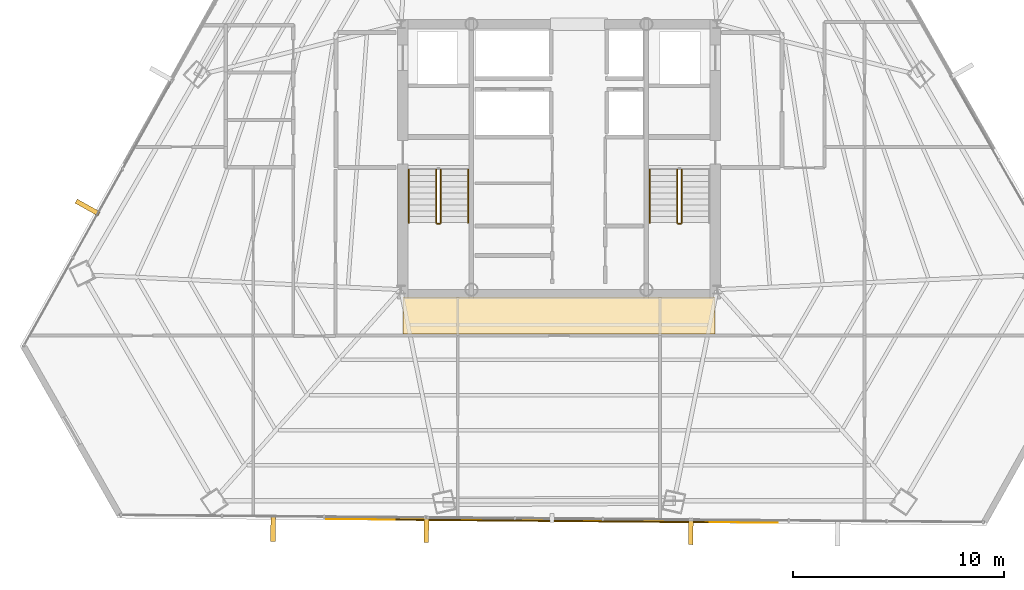
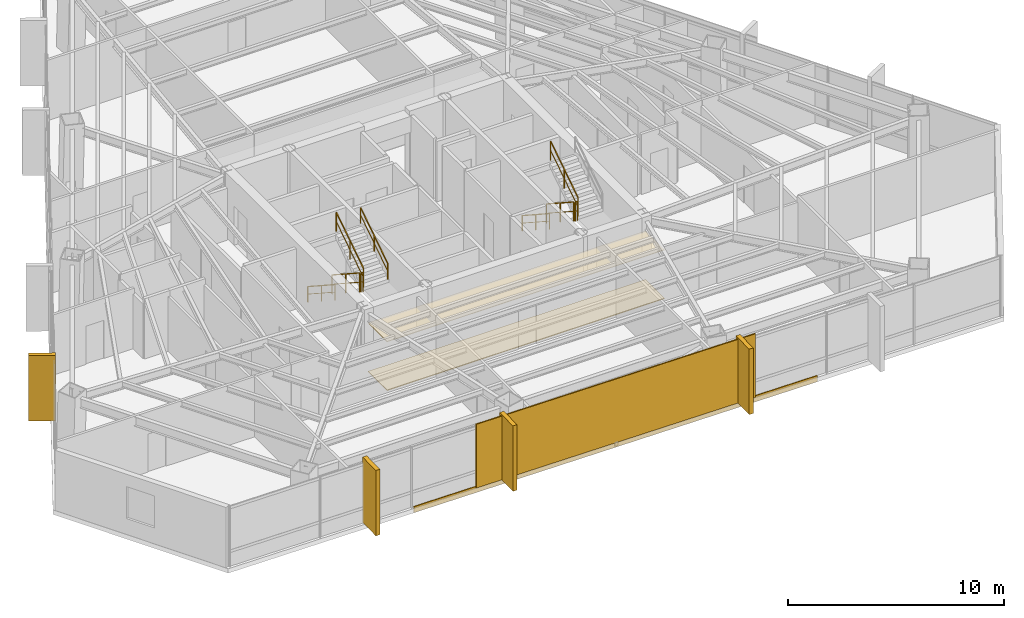
# One storey, part 36 of 38: 9 railings, 7 coverings, 1 shading device.
"""IFC4 building model written with IfcOpenShell, lengths in metres."""

from ifc_helpers import new_model, si_unit, direction, frame, origin, origin_2d, place, context, subcontext, project, spatial, polyline, rectangle, outline, extrude, source, transform, mapped, material, layer, layer_set, type_object, type_shapes, element, save


model = new_model("IFC4")

# Units and contexts
model_context = context("Model", 3, precision=1e-05, world=origin(), true_north=direction((0.0, 1.0)))
body_context = subcontext(model_context, "Body", "Model", "MODEL_VIEW")
ifc_project = project(units=[si_unit("LENGTHUNIT", "METRE"), si_unit("AREAUNIT", "SQUARE_METRE"), si_unit("VOLUMEUNIT", "CUBIC_METRE"), si_unit("PLANEANGLEUNIT", "RADIAN"), si_unit("MASSUNIT", "GRAM", prefix="KILO")], contexts=[model_context])

# Site, building, storey
site_placement = place(None, origin())
site = spatial("IfcSite", under=ifc_project, at=site_placement, CompositionType="ELEMENT")
building_placement = place(site_placement, origin())
building = spatial("IfcBuilding", under=site, at=building_placement, Name="Caelisora Broadcast Tower", CompositionType="ELEMENT")
storey_placement = place(building_placement, frame((0.0, 0.0, 154.85009765625)))
storey = spatial("IfcBuildingStorey", under=building, at=storey_placement, Name="L40", CompositionType="ELEMENT", Elevation=154.85009765625)

# Coverings
ifc_material_1 = material(Name="Perforated Mineral-Fibre Acoustic Ceiling Tile", Category="gypsum")
ifc_layer_1 = layer(ifc_material_1, 0.034912109375, Name="Perforated Mineral-Fibre Acoustic Ceiling Tile")
ifc_layer_set_1 = layer_set([ifc_layer_1], Name="Perforated Mineral-Fibre Acoustic Ceiling Tile")
covering_type_1 = type_object("IfcCoveringType", Name="CE-1", PredefinedType="CEILING", material=ifc_layer_set_1)
covering_1_placement = place(storey_placement, frame((0.0, 0.0, 2.75)))
element("IfcCovering", 1, at=covering_1_placement, inside=storey, type_object=covering_type_1, Name="L40 acoustic corridor ceiling CE-1 (S)", PredefinedType="CEILING", context=body_context, shape_type="SweptSolid", body=[
    extrude(outline(polyline([(30.60009765625, 15.300048828125), (45.39990234375, 15.300048828125), (45.39990234375, 17.050048828125), (30.60009765625, 17.050048828125), (30.60009765625, 15.300048828125)])), origin(), (0.0, 0.0, 1.0), 0.034912109375),
])
ifc_material_2 = material(Name="Anti-Static Broadcast Raised Access Floor Panel", Category="steel")
ifc_layer_2 = layer(ifc_material_2, 0.044921875, Name="Anti-Static Broadcast Raised Access Floor Panel")
ifc_layer_set_2 = layer_set([ifc_layer_2], Name="Anti-Static Broadcast Raised Access Floor Panel")
covering_type_2 = type_object("IfcCoveringType", Name="FL-1", PredefinedType="FLOORING", material=ifc_layer_set_2)
covering_2_placement = place(storey_placement, origin())
element("IfcCovering", 2, at=covering_2_placement, inside=storey, type_object=covering_type_2, Name="L40 broadcast raised access floor FL-1 (S)", PredefinedType="FLOORING", context=body_context, shape_type="SweptSolid", body=[
    extrude(outline(polyline([(30.60009765625, 15.300048828125), (45.39990234375, 15.300048828125), (45.39990234375, 17.050048828125), (30.60009765625, 17.050048828125), (30.60009765625, 15.300048828125)])), origin(), (0.0, 0.0, 1.0), 0.044921875),
])

# Railings
ifc_material_3 = material(Name="Galvanised Steel Safety Guardrail", Category="steel")
ifc_layer_3 = layer(ifc_material_3, 0.048095703125, Name="Galvanised Steel Safety Guardrail")
ifc_layer_set_3 = layer_set([ifc_layer_3], Name="Galvanised Steel Safety Guardrail")
railing_type_1 = type_object("IfcRailingType", Name="GR-1", PredefinedType="GUARDRAIL", material=ifc_layer_set_3)
railing_1_placement = place(storey_placement, frame((32.169921875, 23.10009765625, 0.182373046875)))
element("IfcRailing", 3, at=railing_1_placement, inside=storey, type_object=railing_type_1, Name="L40 ST-1 stair guard 1", PredefinedType="GUARDRAIL", context=body_context, shape_type="SweptSolid", body=[
    extrude(rectangle(XDim=0.048095703125, YDim=0.048095703125, at=origin_2d()), frame((0.0, 0.0, 1.076171875), z_axis=(0.0, -0.837749427056, 0.546054848405), x_axis=(1.0, 0.0, 0.0)), (0.0, 0.0, 1.0), 3.008056640625),
    extrude(rectangle(XDim=0.03125, YDim=0.03125, at=origin_2d()), frame((0.0, 0.0, 0.550048828125), z_axis=(0.0, -0.837749427056, 0.546054848405), x_axis=(1.0, 0.0, 0.0)), (0.0, 0.0, 1.0), 3.008056640625),
    extrude(rectangle(XDim=0.0419921875, YDim=0.0419921875, at=origin_2d()), origin(), (0.0, 0.0, 1.0), 1.052001953125),
    extrude(rectangle(XDim=0.0419921875, YDim=0.0419921875, at=origin_2d()), frame((0.0, -1.260009765625, 0.8212890625)), (0.0, 0.0, 1.0), 1.052001953125),
    extrude(rectangle(XDim=0.0419921875, YDim=0.0419921875, at=origin_2d()), frame((0.0, -2.52001953125, 1.642578125)), (0.0, 0.0, 1.0), 1.052001953125),
])
railing_2_placement = place(storey_placement, frame((32.219970703125, 20.530029296875, 1.824951171875)))
element("IfcRailing", 4, at=railing_2_placement, inside=storey, type_object=railing_type_1, Name="L40 ST-1 stair guard 2", PredefinedType="GUARDRAIL", context=body_context, shape_type="SweptSolid", body=[
    extrude(rectangle(XDim=0.048095703125, YDim=0.048095703125, at=origin_2d()), frame((0.0, 0.0, 1.076171875), z_axis=(1.0, 0.0, 0.0), x_axis=(0.0, 1.0, 0.0)), (0.0, 0.0, 1.0), 0.1201171875),
    extrude(rectangle(XDim=0.03125, YDim=0.03125, at=origin_2d()), frame((0.0, 0.0, 0.550048828125), z_axis=(1.0, 0.0, 0.0), x_axis=(0.0, 1.0, 0.0)), (0.0, 0.0, 1.0), 0.1201171875),
    extrude(rectangle(XDim=0.0419921875, YDim=0.0419921875, at=origin_2d()), origin(), (0.0, 0.0, 1.0), 1.052001953125),
    extrude(rectangle(XDim=0.0419921875, YDim=0.0419921875, at=origin_2d()), frame((0.1201171875, 0.0, 0.0)), (0.0, 0.0, 1.0), 1.052001953125),
])
railing_3_placement = place(storey_placement, frame((32.389892578125, 20.580078125, 2.00732421875)))
element("IfcRailing", 5, at=railing_3_placement, inside=storey, type_object=railing_type_1, Name="L40 ST-1 stair guard 3", PredefinedType="GUARDRAIL", context=body_context, shape_type="SweptSolid", body=[
    extrude(rectangle(XDim=0.048095703125, YDim=0.048095703125, at=origin_2d()), frame((0.0, 0.0, 1.076171875), z_axis=(0.0, 0.837749427056, 0.546054848405), x_axis=(-1.0, 0.0, 0.0)), (0.0, 0.0, 1.0), 3.008056640625),
    extrude(rectangle(XDim=0.03125, YDim=0.03125, at=origin_2d()), frame((0.0, 0.0, 0.550048828125), z_axis=(0.0, 0.837749427056, 0.546054848405), x_axis=(-1.0, 0.0, 0.0)), (0.0, 0.0, 1.0), 3.008056640625),
    extrude(rectangle(XDim=0.0419921875, YDim=0.0419921875, at=origin_2d()), origin(), (0.0, 0.0, 1.0), 1.052001953125),
    extrude(rectangle(XDim=0.0419921875, YDim=0.0419921875, at=origin_2d()), frame((0.0, 1.260009765625, 0.8212890625)), (0.0, 0.0, 1.0), 1.052001953125),
    extrude(rectangle(XDim=0.0419921875, YDim=0.0419921875, at=origin_2d()), frame((0.0, 2.52001953125, 1.642578125)), (0.0, 0.0, 1.0), 1.052001953125),
])
railing_4_placement = place(storey_placement, frame((43.610107421875, 23.10009765625, 0.182373046875)))
element("IfcRailing", 6, at=railing_4_placement, inside=storey, type_object=railing_type_1, Name="L40 ST-2 stair guard 1", PredefinedType="GUARDRAIL", context=body_context, shape_type="SweptSolid", body=[
    extrude(rectangle(XDim=0.048095703125, YDim=0.048095703125, at=origin_2d()), frame((0.0, 0.0, 1.076171875), z_axis=(0.0, -0.837749427056, 0.546054848405), x_axis=(1.0, 0.0, 0.0)), (0.0, 0.0, 1.0), 3.008056640625),
    extrude(rectangle(XDim=0.03125, YDim=0.03125, at=origin_2d()), frame((0.0, 0.0, 0.550048828125), z_axis=(0.0, -0.837749427056, 0.546054848405), x_axis=(1.0, 0.0, 0.0)), (0.0, 0.0, 1.0), 3.008056640625),
    extrude(rectangle(XDim=0.0419921875, YDim=0.0419921875, at=origin_2d()), origin(), (0.0, 0.0, 1.0), 1.052001953125),
    extrude(rectangle(XDim=0.0419921875, YDim=0.0419921875, at=origin_2d()), frame((0.0, -1.260009765625, 0.8212890625)), (0.0, 0.0, 1.0), 1.052001953125),
    extrude(rectangle(XDim=0.0419921875, YDim=0.0419921875, at=origin_2d()), frame((0.0, -2.52001953125, 1.642578125)), (0.0, 0.0, 1.0), 1.052001953125),
])
railing_5_placement = place(storey_placement, frame((43.659912109375, 20.530029296875, 1.824951171875)))
element("IfcRailing", 7, at=railing_5_placement, inside=storey, type_object=railing_type_1, Name="L40 ST-2 stair guard 2", PredefinedType="GUARDRAIL", context=body_context, shape_type="SweptSolid", body=[
    extrude(rectangle(XDim=0.048095703125, YDim=0.048095703125, at=origin_2d()), frame((0.0, 0.0, 1.076171875), z_axis=(1.0, 0.0, 0.0), x_axis=(0.0, 1.0, 0.0)), (0.0, 0.0, 1.0), 0.1201171875),
    extrude(rectangle(XDim=0.03125, YDim=0.03125, at=origin_2d()), frame((0.0, 0.0, 0.550048828125), z_axis=(1.0, 0.0, 0.0), x_axis=(0.0, 1.0, 0.0)), (0.0, 0.0, 1.0), 0.1201171875),
    extrude(rectangle(XDim=0.0419921875, YDim=0.0419921875, at=origin_2d()), origin(), (0.0, 0.0, 1.0), 1.052001953125),
    extrude(rectangle(XDim=0.0419921875, YDim=0.0419921875, at=origin_2d()), frame((0.1201171875, 0.0, 0.0)), (0.0, 0.0, 1.0), 1.052001953125),
])
railing_6_placement = place(storey_placement, frame((43.830078125, 20.580078125, 2.00732421875)))
element("IfcRailing", 8, at=railing_6_placement, inside=storey, type_object=railing_type_1, Name="L40 ST-2 stair guard 3", PredefinedType="GUARDRAIL", context=body_context, shape_type="SweptSolid", body=[
    extrude(rectangle(XDim=0.048095703125, YDim=0.048095703125, at=origin_2d()), frame((0.0, 0.0, 1.076171875), z_axis=(0.0, 0.837749427056, 0.546054848405), x_axis=(-1.0, 0.0, 0.0)), (0.0, 0.0, 1.0), 3.008056640625),
    extrude(rectangle(XDim=0.03125, YDim=0.03125, at=origin_2d()), frame((0.0, 0.0, 0.550048828125), z_axis=(0.0, 0.837749427056, 0.546054848405), x_axis=(-1.0, 0.0, 0.0)), (0.0, 0.0, 1.0), 3.008056640625),
    extrude(rectangle(XDim=0.0419921875, YDim=0.0419921875, at=origin_2d()), origin(), (0.0, 0.0, 1.0), 1.052001953125),
    extrude(rectangle(XDim=0.0419921875, YDim=0.0419921875, at=origin_2d()), frame((0.0, 1.260009765625, 0.8212890625)), (0.0, 0.0, 1.0), 1.052001953125),
    extrude(rectangle(XDim=0.0419921875, YDim=0.0419921875, at=origin_2d()), frame((0.0, 2.52001953125, 1.642578125)), (0.0, 0.0, 1.0), 1.052001953125),
])
ifc_material_4 = material(Name="Stainless Steel Grade 316 Tubular Handrail", Category="steel")
ifc_layer_4 = layer(ifc_material_4, 0.048095703125, Name="Stainless Steel Grade 316 Tubular Handrail")
ifc_layer_set_4 = layer_set([ifc_layer_4], Name="Stainless Steel Grade 316 Tubular Handrail")
railing_type_2 = type_object("IfcRailingType", Name="HR-1", PredefinedType="HANDRAIL", material=ifc_layer_set_4)
railing_7_placement = place(storey_placement, frame((30.8701171875, 23.10009765625, 0.182373046875)))
element("IfcRailing", 9, at=railing_7_placement, inside=storey, type_object=railing_type_2, Name="L40 ST-1 stair handrail 1", PredefinedType="HANDRAIL", context=body_context, shape_type="SweptSolid", body=[
    extrude(rectangle(XDim=0.048095703125, YDim=0.048095703125, at=origin_2d()), frame((0.0, 0.0, 0.8759765625), z_axis=(0.0, -0.837749427056, 0.546054848405), x_axis=(1.0, 0.0, 0.0)), (0.0, 0.0, 1.0), 3.008056640625),
    extrude(rectangle(XDim=0.03125, YDim=0.03125, at=origin_2d()), frame((0.0, 0.0, 0.449951171875), z_axis=(0.0, -0.837749427056, 0.546054848405), x_axis=(1.0, 0.0, 0.0)), (0.0, 0.0, 1.0), 3.008056640625),
    extrude(rectangle(XDim=0.0419921875, YDim=0.0419921875, at=origin_2d()), origin(), (0.0, 0.0, 1.0), 0.851806640625),
    extrude(rectangle(XDim=0.0419921875, YDim=0.0419921875, at=origin_2d()), frame((0.0, -1.260009765625, 0.8212890625)), (0.0, 0.0, 1.0), 0.851806640625),
    extrude(rectangle(XDim=0.0419921875, YDim=0.0419921875, at=origin_2d()), frame((0.0, -2.52001953125, 1.642578125)), (0.0, 0.0, 1.0), 0.851806640625),
])
railing_8_placement = place(storey_placement, frame((33.68994140625, 20.580078125, 2.00732421875)))
element("IfcRailing", 10, at=railing_8_placement, inside=storey, type_object=railing_type_2, Name="L40 ST-1 stair handrail 2", PredefinedType="HANDRAIL", context=body_context, shape_type="SweptSolid", body=[
    extrude(rectangle(XDim=0.048095703125, YDim=0.048095703125, at=origin_2d()), frame((0.0, 0.0, 0.8759765625), z_axis=(0.0, 0.837749427056, 0.546054848405), x_axis=(-1.0, 0.0, 0.0)), (0.0, 0.0, 1.0), 3.008056640625),
    extrude(rectangle(XDim=0.03125, YDim=0.03125, at=origin_2d()), frame((0.0, 0.0, 0.449951171875), z_axis=(0.0, 0.837749427056, 0.546054848405), x_axis=(-1.0, 0.0, 0.0)), (0.0, 0.0, 1.0), 3.008056640625),
    extrude(rectangle(XDim=0.0419921875, YDim=0.0419921875, at=origin_2d()), origin(), (0.0, 0.0, 1.0), 0.851806640625),
    extrude(rectangle(XDim=0.0419921875, YDim=0.0419921875, at=origin_2d()), frame((0.0, 1.260009765625, 0.8212890625)), (0.0, 0.0, 1.0), 0.851806640625),
    extrude(rectangle(XDim=0.0419921875, YDim=0.0419921875, at=origin_2d()), frame((0.0, 2.52001953125, 1.642578125)), (0.0, 0.0, 1.0), 0.851806640625),
])
railing_9_placement = place(storey_placement, frame((42.31005859375, 23.10009765625, 0.182373046875)))
element("IfcRailing", 11, at=railing_9_placement, inside=storey, type_object=railing_type_2, Name="L40 ST-2 stair handrail 1", PredefinedType="HANDRAIL", context=body_context, shape_type="SweptSolid", body=[
    extrude(rectangle(XDim=0.048095703125, YDim=0.048095703125, at=origin_2d()), frame((0.0, 0.0, 0.8759765625), z_axis=(0.0, -0.837749427056, 0.546054848405), x_axis=(1.0, 0.0, 0.0)), (0.0, 0.0, 1.0), 3.008056640625),
    extrude(rectangle(XDim=0.03125, YDim=0.03125, at=origin_2d()), frame((0.0, 0.0, 0.449951171875), z_axis=(0.0, -0.837749427056, 0.546054848405), x_axis=(1.0, 0.0, 0.0)), (0.0, 0.0, 1.0), 3.008056640625),
    extrude(rectangle(XDim=0.0419921875, YDim=0.0419921875, at=origin_2d()), origin(), (0.0, 0.0, 1.0), 0.851806640625),
    extrude(rectangle(XDim=0.0419921875, YDim=0.0419921875, at=origin_2d()), frame((0.0, -1.260009765625, 0.8212890625)), (0.0, 0.0, 1.0), 0.851806640625),
    extrude(rectangle(XDim=0.0419921875, YDim=0.0419921875, at=origin_2d()), frame((0.0, -2.52001953125, 1.642578125)), (0.0, 0.0, 1.0), 0.851806640625),
])

# Coverings
ifc_material_5 = material(Name="Kiln-Fired Terracotta Spandrel Rainscreen Cladding", Category="ceramic")
ifc_layer_5 = layer(ifc_material_5, 0.044921875, Name="Kiln-Fired Terracotta Spandrel Rainscreen Cladding")
ifc_layer_set_5 = layer_set([ifc_layer_5], Name="Kiln-Fired Terracotta Spandrel Rainscreen Cladding")
covering_type_3 = type_object("IfcCoveringType", Name="CL-1", PredefinedType="CLADDING", material=ifc_layer_set_5)
shared_shape_1 = source(origin(), body_context, "Body", "SweptSolid", [
    extrude(rectangle(XDim=0.219970703125, YDim=1.25, at=origin_2d()), origin(), (0.0, 0.0, 1.0), 3.68994140625),
])
for number, where, z_axis, x_axis, name in (
    (12, (44.26220703125, 5.922119140625, -0.02001953125), (0.0, 0.0, 1.0), (-0.999966355195, 0.008202955488, 0.0), "L40 vertical solar fin cladding #2-2"),
    (13, (31.715576171875, 6.025634765625, -0.02001953125), (0.0, 0.0, 1.0), (-0.999966355195, 0.008202955488, 0.0), "L40 vertical solar fin cladding #2-3"),
    (14, (24.4375, 6.0859375, -0.02001953125), (0.0, 0.0, 1.0), (-0.999966355195, 0.008202955488, 0.0), "L40 vertical solar fin cladding #2-4"),
    (15, (15.639892578125, 21.29638671875, -0.02001953125), (0.0, 0.0, 1.0), (0.487707298065, 0.873007211547, 0.0), "L40 vertical solar fin cladding #3-1"),
):
    element("IfcCovering", number, at=place(storey_placement, frame(where, z_axis=z_axis, x_axis=x_axis)), inside=storey, type_object=covering_type_3, Name=name, PredefinedType="CLADDING", context=body_context, shape_type="MappedRepresentation", body=[
        mapped(shared_shape_1, transform((0.0, 0.0, 0.0), scale=1.0)),
    ])

# Shading device
ifc_material_6 = material(Name="Perforated Glazed Terracotta Baguette Solar Screen", Category="ceramic")
ifc_layer_6 = layer(ifc_material_6, 0.06494140625, Name="Perforated Glazed Terracotta Baguette Solar Screen")
ifc_layer_set_6 = layer_set([ifc_layer_6], Name="Perforated Glazed Terracotta Baguette Solar Screen")
shading_device_type = type_object("IfcShadingDeviceType", Name="SS-1", PredefinedType="USERDEFINED", material=ifc_layer_set_6)
shared_shape_2 = source(origin(), body_context, "Body", "SweptSolid", [
    extrude(rectangle(XDim=14.83203125, YDim=0.06494140625, at=origin_2d()), origin(), (0.0, 0.0, 1.0), 3.590087890625),
])
type_shapes(shading_device_type, [shared_shape_2])
shading_device_placement = place(storey_placement, frame((37.67578125, 6.426513671875, 0.0), z_axis=(0.0, 0.0, 1.0), x_axis=(0.999966355195, -0.008202955488, 0.0)))
element("IfcShadingDevice", 16, at=shading_device_placement, inside=storey, type_object=shading_device_type, Name="L40 perforated terracotta solar screen #2", ObjectType="SOLAR SCREEN", PredefinedType="USERDEFINED", context=body_context, shape_type="MappedRepresentation", body=[
    mapped(shared_shape_2, transform((0.0, 0.0, 0.0), scale=1.0)),
])

# Covering
shared_shape_3 = source(origin(), body_context, "Body", "SweptSolid", [
    extrude(rectangle(XDim=21.424072265625, YDim=0.044921875, at=origin_2d()), origin(), (0.0, 0.0, 1.0), 0.340087890625),
])
type_shapes(covering_type_3, [shared_shape_1, shared_shape_3])
covering_3_placement = place(storey_placement, frame((37.676025390625, 6.446533203125, -0.27001953125), z_axis=(0.0, 0.0, 1.0), x_axis=(0.999966355195, -0.008202955488, 0.0)))
element("IfcCovering", 17, at=covering_3_placement, inside=storey, type_object=covering_type_3, Name="L40 terracotta spandrel rainscreen #2", PredefinedType="CLADDING", context=body_context, shape_type="MappedRepresentation", body=[
    mapped(shared_shape_3, transform((0.0, 0.0, 0.0), scale=1.0)),
])

save(model, "model.ifc")
